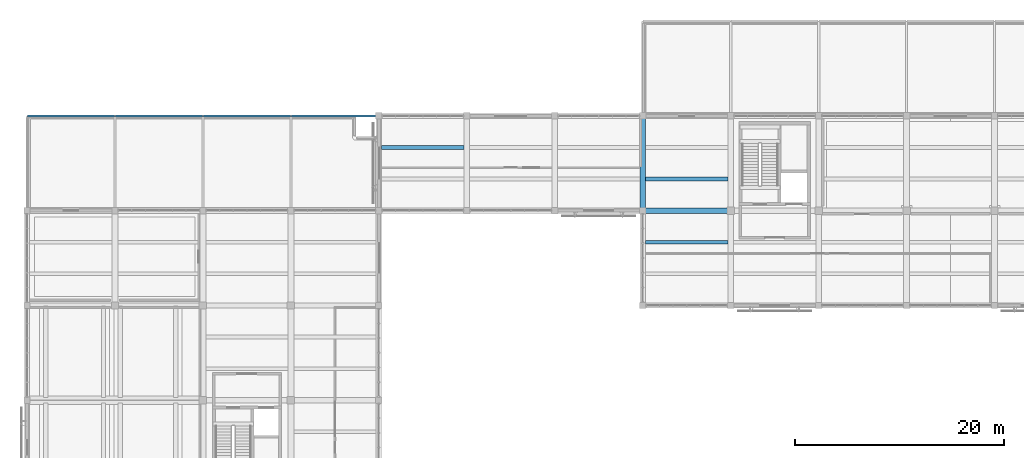
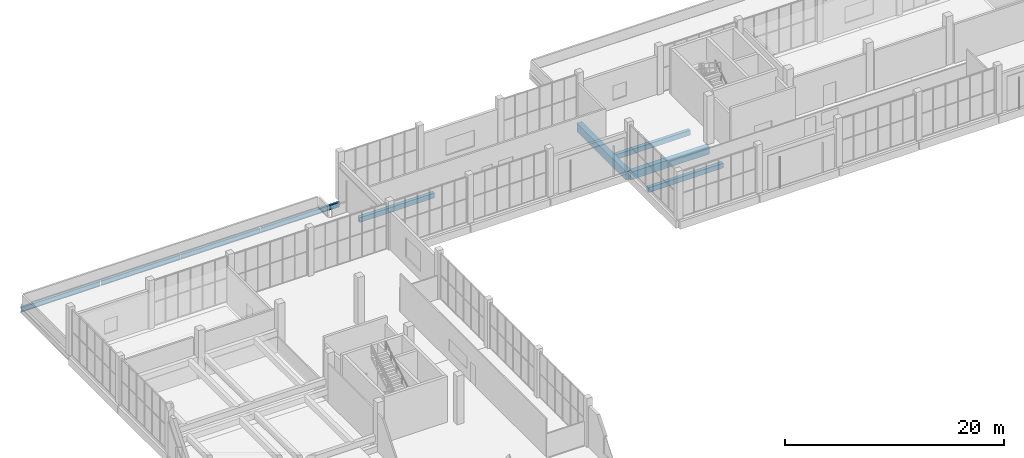
# One storey, part 62 of 132: 9 beams.
"""IFC4 building model written with IfcOpenShell, lengths in metres."""

from ifc_helpers import new_model, si_unit, direction, frame, origin, origin_2d, place, context, subcontext, project, spatial, rectangle, i_section, extrude, material, material_profile, profile_set, type_object, element, save


model = new_model("IFC4")

# Units and contexts
model_context = context("Model", 3, precision=1e-05, world=origin(), true_north=direction((0.0, 1.0)))
body_context = subcontext(model_context, "Body", "Model", "MODEL_VIEW")
ifc_project = project(units=[si_unit("LENGTHUNIT", "METRE"), si_unit("AREAUNIT", "SQUARE_METRE"), si_unit("VOLUMEUNIT", "CUBIC_METRE"), si_unit("PLANEANGLEUNIT", "RADIAN"), si_unit("MASSUNIT", "GRAM", prefix="KILO")], contexts=[model_context])

# Site, building, storey
site_placement = place(None, origin())
site = spatial("IfcSite", under=ifc_project, at=site_placement, CompositionType="ELEMENT")
building_placement = place(site_placement, origin())
building = spatial("IfcBuilding", under=site, at=building_placement, Name="Khurvash Pelagic Aquarium", CompositionType="ELEMENT")
storey_placement = place(building_placement, frame((0.0, 0.0, 5.39990234375)))
storey = spatial("IfcBuildingStorey", under=building, at=storey_placement, Name="L01", CompositionType="ELEMENT", Elevation=5.39990234375)

# Beams
ifc_material_1 = material(Name="Concrete C40/50", Category="concrete")
ifc_material_profile_1 = material_profile(ifc_material_1, rectangle(XDim=0.550048828125, YDim=0.949951171875, at=origin_2d()), Name="RC550X950")
ifc_profile_set_1 = profile_set([ifc_material_profile_1], Name="Concrete C40/50")
beam_type_1 = type_object("IfcBeamType", Name="BM-02", PredefinedType="BEAM", material=ifc_profile_set_1)
beam_1_placement = place(storey_placement, frame((58.800048828125, 93.139892578125, -0.784912109375), z_axis=(0.0, 1.0, 0.0), x_axis=(-1.0, 0.0, 0.0)))
element("IfcBeam", 1, at=beam_1_placement, inside=storey, type_object=beam_type_1, Name="L01 Primary Girder BM-02 00392", PredefinedType="BEAM", context=body_context, shape_type="SweptSolid", body=[
    extrude(rectangle(XDim=0.550048828125, YDim=0.949951171875, at=origin_2d()), origin(), (0.0, 0.0, 1.0), 8.97021484375),
])
ifc_material_profile_2 = material_profile(ifc_material_1, rectangle(XDim=0.5, YDim=0.85009765625, at=origin_2d()), Name="RC500X850")
ifc_profile_set_2 = profile_set([ifc_material_profile_2], Name="Concrete C40/50")
beam_type_2 = type_object("IfcBeamType", Name="BM-03", PredefinedType="BEAM", material=ifc_profile_set_2)
beam_2_placement = place(storey_placement, frame((58.840087890625, 93.10009765625, -0.744873046875), z_axis=(1.0, 0.0, 0.0), x_axis=(0.0, 1.0, 0.0)))
element("IfcBeam", 2, at=beam_2_placement, inside=storey, type_object=beam_type_2, Name="L01 Primary Girder BM-03 00330", PredefinedType="BEAM", context=body_context, shape_type="SweptSolid", body=[
    extrude(rectangle(XDim=0.5, YDim=0.85009765625, at=origin_2d()), origin(), (0.0, 0.0, 1.0), 8.31982421875),
])
ifc_material_2 = material(Name="Steel ASTM A992 Grade 50", Category="steel")
ifc_material_profile_3 = material_profile(ifc_material_2, i_section(OverallWidth=0.214111328125, OverallDepth=0.549072265625, WebThickness=0.0146484375, FlangeThickness=0.023681640625, at=origin_2d()), Name="W21X93")
ifc_profile_set_3 = profile_set([ifc_material_profile_3], Name="Steel ASTM A992 Grade 50")
beam_type_3 = type_object("IfcBeamType", Name="BM-11", PredefinedType="BEAM", material=ifc_profile_set_3)
for number, where, z_axis, x_axis, name in (
    (3, (0.0400390625, 102.14990234375, -0.594482421875), (1.0, 0.0, 0.0), (0.0, 1.0, 0.0), "L01 Roof Girder BM-11 01192"),
    (4, (8.43994140625, 102.14990234375, -0.594482421875), (1.0, 0.0, 0.0), (0.0, 1.0, 0.0), "L01 Roof Girder BM-11 01193"),
):
    element("IfcBeam", number, at=place(storey_placement, frame(where, z_axis=z_axis, x_axis=x_axis)), inside=storey, type_object=beam_type_3, Name=name, PredefinedType="BEAM", context=body_context, shape_type="SweptSolid", body=[
        extrude(i_section(OverallWidth=0.214111328125, OverallDepth=0.549072265625, WebThickness=0.0146484375, FlangeThickness=0.023681640625, at=origin_2d()), origin(), (0.0, 0.0, 1.0), 8.320068359375),
    ])
beam_3_placement = place(storey_placement, frame((16.840087890625, 102.14990234375, -0.594482421875), z_axis=(1.0, 0.0, 0.0), x_axis=(0.0, 1.0, 0.0)))
element("IfcBeam", 5, at=beam_3_placement, inside=storey, type_object=beam_type_3, Name="L01 Roof Girder BM-11 01194", PredefinedType="BEAM", context=body_context, shape_type="SweptSolid", body=[
    extrude(i_section(OverallWidth=0.214111328125, OverallDepth=0.549072265625, WebThickness=0.0146484375, FlangeThickness=0.023681640625, at=origin_2d()), origin(), (0.0, 0.0, 1.0), 8.31982421875),
])
beam_4_placement = place(storey_placement, frame((25.239990234375, 102.14990234375, -0.594482421875), z_axis=(1.0, 0.0, 0.0), x_axis=(0.0, 1.0, 0.0)))
element("IfcBeam", 6, at=beam_4_placement, inside=storey, type_object=beam_type_3, Name="L01 Roof Girder BM-11 01195", PredefinedType="BEAM", context=body_context, shape_type="SweptSolid", body=[
    extrude(i_section(OverallWidth=0.214111328125, OverallDepth=0.549072265625, WebThickness=0.0146484375, FlangeThickness=0.023681640625, at=origin_2d()), origin(), (0.0, 0.0, 1.0), 8.320068359375),
])
ifc_material_3 = material(Name="Concrete C35/45", Category="concrete")
ifc_material_profile_4 = material_profile(ifc_material_3, rectangle(XDim=0.35009765625, YDim=0.550048828125, at=origin_2d()), Name="RC350X550")
ifc_profile_set_4 = profile_set([ifc_material_profile_4], Name="Concrete C35/45")
beam_type_4 = type_object("IfcBeamType", Name="JS-01", PredefinedType="JOIST", material=ifc_profile_set_4)
for number, where, z_axis, x_axis, name in (
    (7, (33.85009765625, 99.133056640625, -0.5849609375), (1.0, 0.0, 0.0), (0.0, 1.0, 0.0), "L01 Floor Joist JS-01 00483"),
    (8, (59.050048828125, 90.0830078125, -0.5849609375), (1.0, 0.0, 0.0), (0.0, 1.0, 0.0), "L01 Floor Joist JS-01 00505"),
):
    element("IfcBeam", number, at=place(storey_placement, frame(where, z_axis=z_axis, x_axis=x_axis)), inside=storey, type_object=beam_type_4, Name=name, PredefinedType="JOIST", context=body_context, shape_type="SweptSolid", body=[
        extrude(rectangle(XDim=0.35009765625, YDim=0.550048828125, at=origin_2d()), origin(), (0.0, 0.0, 1.0), 7.875),
    ])
beam_5_placement = place(storey_placement, frame((59.074951171875, 96.116943359375, -0.5849609375), z_axis=(1.0, 0.0, 0.0), x_axis=(0.0, 1.0, 0.0)))
element("IfcBeam", 9, at=beam_5_placement, inside=storey, type_object=beam_type_4, Name="L01 Floor Joist JS-01 00506", PredefinedType="JOIST", context=body_context, shape_type="SweptSolid", body=[
    extrude(rectangle(XDim=0.35009765625, YDim=0.550048828125, at=origin_2d()), origin(), (0.0, 0.0, 1.0), 7.85009765625),
])

save(model, "model.ifc")
